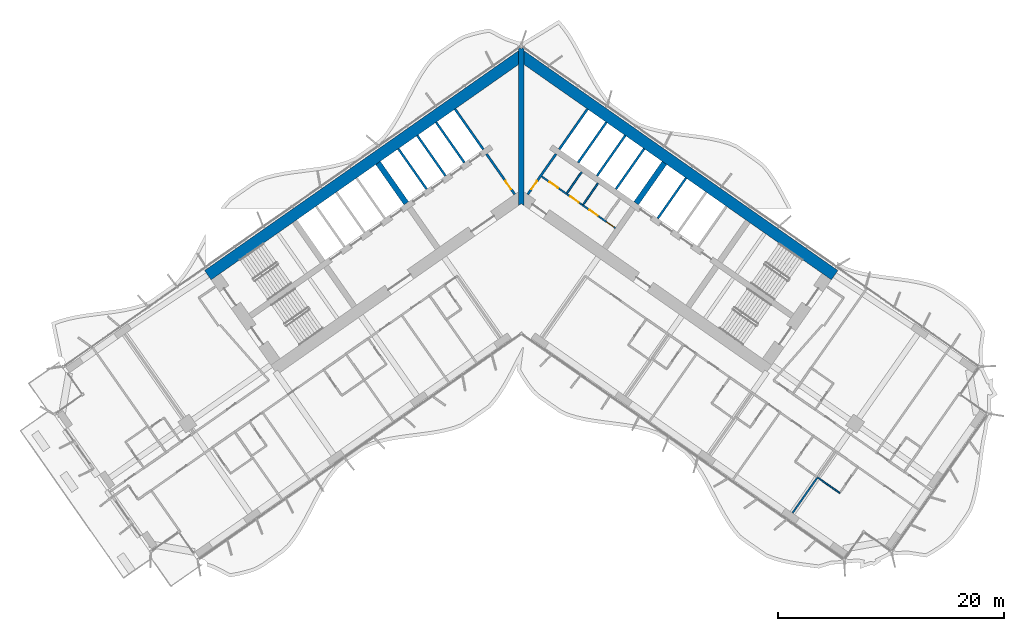
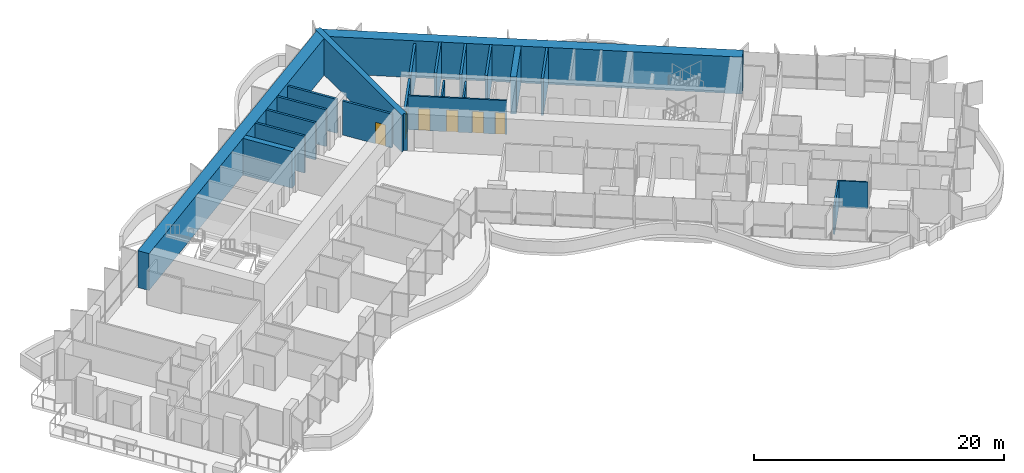
# One storey, part 16 of 25: 21 walls, 6 doors, 6 openings.
"""IFC4 building model written with IfcOpenShell, lengths in metres."""

from ifc_helpers import new_model, si_unit, direction, frame, frame_2d, origin, place, context, subcontext, project, spatial, polyline, rectangle, outline, extrude, material, layer, layer_set, type_object, element, fill, save


model = new_model("IFC4")

# Units and contexts
model_context = context("Model", 3, precision=1e-05, world=origin(), true_north=direction((0.0, 1.0)))
body_context = subcontext(model_context, "Body", "Model", "MODEL_VIEW")
ifc_project = project(units=[si_unit("LENGTHUNIT", "METRE"), si_unit("AREAUNIT", "SQUARE_METRE"), si_unit("VOLUMEUNIT", "CUBIC_METRE"), si_unit("PLANEANGLEUNIT", "RADIAN"), si_unit("MASSUNIT", "GRAM", prefix="KILO")], contexts=[model_context])

# Site, building, storey
site_placement = place(None, origin())
site = spatial("IfcSite", under=ifc_project, at=site_placement, CompositionType="ELEMENT")
building_placement = place(site_placement, origin())
building = spatial("IfcBuilding", under=site, at=building_placement, Name="Tel Ilan Convention Tower", CompositionType="ELEMENT")
storey_placement = place(building_placement, frame((0.0, 0.0, 97.699951171875)))
storey = spatial("IfcBuildingStorey", under=building, at=storey_placement, Name="L20", CompositionType="ELEMENT", Elevation=97.699951171875)

# Wall, openings, doors
ifc_material_1 = material(Name="Gypsum Plasterboard on Steel Stud", Category="steel")
ifc_layer_1 = layer(ifc_material_1, 0.14990234375)
ifc_layer_set_1 = layer_set([ifc_layer_1], Name="Core Room Partition Wall 150 mm EI 60")
wall_type_1 = type_object("IfcWallType", Name="Core Room Partition Wall 150 mm EI 60", PredefinedType="PARTITIONING", material=ifc_layer_set_1)
wall_1_placement = place(storey_placement, frame((1.802490234375, 1.179443359375, 0.0), z_axis=(0.0, 0.0, 1.0), x_axis=(0.819142461705, -0.573590121456, 0.0)))
wall_1 = element("IfcWall", 1, at=wall_1_placement, inside=storey, type_object=wall_type_1, Name="L20 core wall wc-h1", PredefinedType="PARTITIONING", context=body_context, shape_type="SweptSolid", body=[
    extrude(rectangle(XDim=7.949951171875, YDim=0.14990234375, at=frame_2d((3.97509765625, 0.0))), origin(), (0.0, 0.0, 1.0), 3.320068359375),
])
opening_1_placement = place(wall_1_placement, frame((0.85009765625, 0.0, 0.0)))
opening_1 = element("IfcOpeningElement", 2, at=opening_1_placement, cuts=wall_1, Name="Opening CD1811", PredefinedType="OPENING", context=body_context, shape_type="SweptSolid", body=[
    extrude(rectangle(XDim=0.89990234375, YDim=2.10009765625, at=frame_2d((0.449951171875, 1.050048828125))), frame((0.0, 0.0849609375, 0.0), z_axis=(0.0, -1.0, 0.0), x_axis=(1.0, 0.0, 0.0)), (0.0, 0.0, 1.0), 0.169921875),
])
opening_2_placement = place(wall_1_placement, frame((3.10009765625, 0.0, 0.0)))
opening_2 = element("IfcOpeningElement", 3, at=opening_2_placement, cuts=wall_1, Name="Opening CD1808", PredefinedType="OPENING", context=body_context, shape_type="SweptSolid", body=[
    extrude(rectangle(XDim=0.89990234375, YDim=2.10009765625, at=frame_2d((0.449951171875, 1.050048828125))), frame((0.0, 0.0849609375, 0.0), z_axis=(0.0, -1.0, 0.0), x_axis=(1.0, 0.0, 0.0)), (0.0, 0.0, 1.0), 0.169921875),
])
opening_3_placement = place(wall_1_placement, frame((5.14990234375, 0.0, 0.0)))
opening_3 = element("IfcOpeningElement", 4, at=opening_3_placement, cuts=wall_1, Name="Opening CD1810", PredefinedType="OPENING", context=body_context, shape_type="SweptSolid", body=[
    extrude(rectangle(XDim=0.89990234375, YDim=2.10009765625, at=frame_2d((0.449951171875, 1.050048828125))), frame((0.0, 0.0849609375, 0.0), z_axis=(0.0, -1.0, 0.0), x_axis=(1.0, 0.0, 0.0)), (0.0, 0.0, 1.0), 0.169921875),
])
opening_4_placement = place(wall_1_placement, frame((7.0, 0.0, 0.0)))
opening_4 = element("IfcOpeningElement", 5, at=opening_4_placement, cuts=wall_1, Name="Opening CD1809", PredefinedType="OPENING", context=body_context, shape_type="SweptSolid", body=[
    extrude(rectangle(XDim=0.800048828125, YDim=2.10009765625, at=frame_2d((0.39990234375, 1.050048828125))), frame((0.0, 0.0849609375, 0.0), z_axis=(0.0, -1.0, 0.0), x_axis=(1.0, 0.0, 0.0)), (0.0, 0.0, 1.0), 0.169921875),
])
ifc_material_2 = material(Name="Galvanised Steel Door Leaf", Category="steel")
door_type_1 = type_object("IfcDoorType", Name="Store Door 800 x 2100 FD60", OperationType="NOTDEFINED", PredefinedType="DOOR", material=ifc_material_2)
door_1_placement = place(opening_4_placement, origin())
door_1 = element("IfcDoor", 6, at=door_1_placement, inside=storey, type_object=door_type_1, Name="Cleaner's store door", OperationType="SINGLE_SWING_RIGHT", OverallHeight=2.10009765625, OverallWidth=0.800048828125, PredefinedType="DOOR", context=body_context, shape_type="SweptSolid", body=[
    extrude(rectangle(XDim=0.800048828125, YDim=2.10009765625, at=frame_2d((0.39990234375, 1.050048828125))), frame((0.0, 0.02490234375, 0.0), z_axis=(0.0, -1.0, 0.0), x_axis=(1.0, 0.0, 0.0)), (0.0, 0.0, 1.0), 0.050048828125),
])
fill(opening_4, door_1)
ifc_material_3 = material(Name="Laminated Timber Door Leaf", Category="wood")
door_type_2 = type_object("IfcDoorType", Name="Toilet Door 900 x 2100 FD30S", OperationType="NOTDEFINED", PredefinedType="DOOR", material=ifc_material_3)
door_2_placement = place(opening_1_placement, origin())
door_2 = element("IfcDoor", 7, at=door_2_placement, inside=storey, type_object=door_type_2, Name="Women's WC door", OperationType="SINGLE_SWING_RIGHT", OverallHeight=2.10009765625, OverallWidth=0.89990234375, PredefinedType="DOOR", context=body_context, shape_type="SweptSolid", body=[
    extrude(rectangle(XDim=0.89990234375, YDim=2.10009765625, at=frame_2d((0.449951171875, 1.050048828125))), frame((0.0, 0.02490234375, 0.0), z_axis=(0.0, -1.0, 0.0), x_axis=(1.0, 0.0, 0.0)), (0.0, 0.0, 1.0), 0.050048828125),
])
fill(opening_1, door_2)
door_3_placement = place(opening_2_placement, origin())
door_3 = element("IfcDoor", 8, at=door_3_placement, inside=storey, type_object=door_type_2, Name="Accessible WC door", OperationType="SINGLE_SWING_RIGHT", OverallHeight=2.10009765625, OverallWidth=0.89990234375, PredefinedType="DOOR", context=body_context, shape_type="SweptSolid", body=[
    extrude(rectangle(XDim=0.89990234375, YDim=2.10009765625, at=frame_2d((0.449951171875, 1.050048828125))), frame((0.0, 0.02490234375, 0.0), z_axis=(0.0, -1.0, 0.0), x_axis=(1.0, 0.0, 0.0)), (0.0, 0.0, 1.0), 0.050048828125),
])
fill(opening_2, door_3)
door_4_placement = place(opening_3_placement, origin())
door_4 = element("IfcDoor", 9, at=door_4_placement, inside=storey, type_object=door_type_2, Name="Men's WC door", OperationType="SINGLE_SWING_RIGHT", OverallHeight=2.10009765625, OverallWidth=0.89990234375, PredefinedType="DOOR", context=body_context, shape_type="SweptSolid", body=[
    extrude(rectangle(XDim=0.89990234375, YDim=2.10009765625, at=frame_2d((0.449951171875, 1.050048828125))), frame((0.0, 0.02490234375, 0.0), z_axis=(0.0, -1.0, 0.0), x_axis=(1.0, 0.0, 0.0)), (0.0, 0.0, 1.0), 0.050048828125),
])
fill(opening_3, door_4)

# Walls
for number, where, z_axis, x_axis, name in (
    (10, (4.03662109375, -0.29345703125, 0.0), (0.0, 0.0, 1.0), (0.573599181114, 0.819136117764, 0.0), "L20 core wall wc-v0"),
    (11, (5.47021484375, -1.297119140625, 0.0), (0.0, 0.0, 1.0), (0.573599181114, 0.819136117764, 0.0), "L20 core wall wc-v1"),
):
    element("IfcWall", number, at=place(storey_placement, frame(where, z_axis=z_axis, x_axis=x_axis)), inside=storey, type_object=wall_type_1, Name=name, PredefinedType="PARTITIONING", context=body_context, shape_type="SweptSolid", body=[
        extrude(rectangle(XDim=2.27490234375, YDim=0.14990234375, at=frame_2d((1.137451171875, 0.0))), origin(), (0.0, 0.0, 1.0), 3.320068359375),
    ])

# Wall, opening, door
ifc_material_4 = material(Name="Concrete C30/37", Category="concrete")
ifc_layer_2 = layer(ifc_material_4, 0.199951171875)
ifc_layer_set_2 = layer_set([ifc_layer_2], Name="Core Service Room Wall 200 mm C30/37")
wall_type_2 = type_object("IfcWallType", Name="Core Service Room Wall 200 mm C30/37", PredefinedType="SOLIDWALL", material=ifc_layer_set_2)
wall_2_placement = place(storey_placement, frame((-0.573486328125, -0.401611328125, 0.0), z_axis=(0.0, 0.0, 1.0), x_axis=(-0.57356780395, 0.819158088694, 0.0)))
wall_2 = element("IfcWall", 12, at=wall_2_placement, inside=storey, type_object=wall_type_2, Name="L20 core wall apex-W", PredefinedType="SOLIDWALL", context=body_context, shape_type="SweptSolid", body=[
    extrude(rectangle(XDim=4.35009765625, YDim=0.199951171875, at=frame_2d((2.175048828125, 0.0))), origin(), (0.0, 0.0, 1.0), 3.320068359375),
])
opening_5_placement = place(wall_2_placement, frame((0.550048828125, 0.0, 0.0)))
opening_5 = element("IfcOpeningElement", 13, at=opening_5_placement, cuts=wall_2, Name="Opening CD1802", PredefinedType="OPENING", context=body_context, shape_type="SweptSolid", body=[
    extrude(rectangle(XDim=0.89990234375, YDim=2.10009765625, at=frame_2d((0.449951171875, 1.050048828125))), frame((0.0, 0.10986328125, 0.0), z_axis=(0.0, -1.0, 0.0), x_axis=(1.0, 0.0, 0.0)), (0.0, 0.0, 1.0), 0.219970703125),
])
ifc_material_5 = material(Name="Galvanised Steel Door Leaf", Category="steel")
door_type_3 = type_object("IfcDoorType", Name="Service Room Door 900 x 2100 FD60", OperationType="NOTDEFINED", PredefinedType="DOOR", material=ifc_material_5)
door_5_placement = place(opening_5_placement, origin())
door_5 = element("IfcDoor", 14, at=door_5_placement, inside=storey, type_object=door_type_3, Name="Telecom Room door", OperationType="SINGLE_SWING_RIGHT", OverallHeight=2.10009765625, OverallWidth=0.89990234375, PredefinedType="DOOR", context=body_context, shape_type="SweptSolid", body=[
    extrude(rectangle(XDim=0.89990234375, YDim=2.10009765625, at=frame_2d((0.449951171875, 1.050048828125))), frame((0.0, 0.02490234375, 0.0), z_axis=(0.0, -1.0, 0.0), x_axis=(1.0, 0.0, 0.0)), (0.0, 0.0, 1.0), 0.050048828125),
])
fill(opening_5, door_5)

# Wall
wall_3_placement = place(storey_placement, frame((-3.355224609375, 3.5712890625, 0.0), z_axis=(0.0, 0.0, 1.0), x_axis=(-0.57356780395, 0.819158088694, 0.0)))
element("IfcWall", 15, at=wall_3_placement, inside=storey, type_object=wall_type_2, Name="L20 core wall apex-W-b", PredefinedType="SOLIDWALL", context=body_context, shape_type="SweptSolid", body=[
    extrude(rectangle(XDim=4.35009765625, YDim=0.199951171875, at=frame_2d((2.175048828125, 0.0))), origin(), (0.0, 0.0, 1.0), 3.320068359375),
])

# Wall, opening, door
wall_4_placement = place(storey_placement, frame((0.573486328125, -0.401611328125, 0.0), z_axis=(0.0, 0.0, 1.0), x_axis=(0.57356780395, 0.819158088694, 0.0)))
wall_4 = element("IfcWall", 16, at=wall_4_placement, inside=storey, type_object=wall_type_2, Name="L20 core wall apex-E", PredefinedType="SOLIDWALL", context=body_context, shape_type="SweptSolid", body=[
    extrude(rectangle(XDim=4.35009765625, YDim=0.199951171875, at=frame_2d((2.175048828125, 0.0))), origin(), (0.0, 0.0, 1.0), 3.320068359375),
])
opening_6_placement = place(wall_4_placement, frame((0.550048828125, 0.0, 0.0)))
opening_6 = element("IfcOpeningElement", 17, at=opening_6_placement, cuts=wall_4, Name="Opening CD1801", PredefinedType="OPENING", context=body_context, shape_type="SweptSolid", body=[
    extrude(rectangle(XDim=0.89990234375, YDim=2.10009765625, at=frame_2d((0.449951171875, 1.050048828125))), frame((0.0, 0.10986328125, 0.0), z_axis=(0.0, -1.0, 0.0), x_axis=(1.0, 0.0, 0.0)), (0.0, 0.0, 1.0), 0.219970703125),
])
door_6_placement = place(opening_6_placement, origin())
door_6 = element("IfcDoor", 18, at=door_6_placement, inside=storey, type_object=door_type_3, Name="Data Room door", OperationType="SINGLE_SWING_RIGHT", OverallHeight=2.10009765625, OverallWidth=0.89990234375, PredefinedType="DOOR", context=body_context, shape_type="SweptSolid", body=[
    extrude(rectangle(XDim=0.89990234375, YDim=2.10009765625, at=frame_2d((0.449951171875, 1.050048828125))), frame((0.0, 0.02490234375, 0.0), z_axis=(0.0, -1.0, 0.0), x_axis=(1.0, 0.0, 0.0)), (0.0, 0.0, 1.0), 0.050048828125),
])
fill(opening_6, door_6)

# Walls
wall_5_placement = place(storey_placement, frame((3.355224609375, 3.5712890625, 0.0), z_axis=(0.0, 0.0, 1.0), x_axis=(0.57356780395, 0.819158088694, 0.0)))
element("IfcWall", 19, at=wall_5_placement, inside=storey, type_object=wall_type_2, Name="L20 core wall apex-E-b", PredefinedType="SOLIDWALL", context=body_context, shape_type="SweptSolid", body=[
    extrude(rectangle(XDim=4.35009765625, YDim=0.199951171875, at=frame_2d((2.175048828125, 0.0))), origin(), (0.0, 0.0, 1.0), 3.320068359375),
])
ifc_material_6 = material(Name="Concrete C60/75", Category="concrete")
ifc_layer_3 = layer(ifc_material_6, 1.0)
ifc_layer_set_3 = layer_set([ifc_layer_3], Name="Core Shear Wall 1000 mm C60/75")
wall_type_3 = type_object("IfcWallType", Name="Core Shear Wall 1000 mm C60/75", PredefinedType="SHEAR", material=ifc_layer_set_3)
wall_6_placement = place(storey_placement, frame((0.036865234375, 11.8671875, 0.0), z_axis=(0.0, 0.0, 1.0), x_axis=(-0.819155306259, -0.573571777746, 0.0)))
element("IfcWall", 20, at=wall_6_placement, inside=storey, type_object=wall_type_3, Name="L20 core wall W-back", PredefinedType="SHEAR", context=body_context, shape_type="SweptSolid", body=[
    extrude(outline(polyline([(33.8369140625, 0.5), (0.7001953125, 0.499755859375), (0.0, -0.5), (33.8369140625, -0.5), (33.8369140625, 0.5)])), origin(), (0.0, 0.0, 1.0), 3.60009765625),
])
wall_7_placement = place(storey_placement, frame((-0.036865234375, 11.8671875, 0.0), z_axis=(0.0, 0.0, 1.0), x_axis=(0.819155306259, -0.573571777746, 0.0)))
element("IfcWall", 21, at=wall_7_placement, inside=storey, type_object=wall_type_3, Name="L20 core wall E-back", PredefinedType="SHEAR", context=body_context, shape_type="SweptSolid", body=[
    extrude(outline(polyline([(33.8369140625, 0.5), (0.0, 0.5), (0.7001953125, -0.499755859375), (33.8369140625, -0.5), (33.8369140625, 0.5)])), origin(), (0.0, 0.0, 1.0), 3.60009765625),
])
ifc_material_7 = material(Name="Concrete C60/75", Category="concrete")
ifc_layer_4 = layer(ifc_material_7, 0.5)
ifc_layer_set_4 = layer_set([ifc_layer_4], Name="Core Shear Wall 500 mm C60/75")
wall_type_4 = type_object("IfcWallType", Name="Core Shear Wall 500 mm C60/75", PredefinedType="SHEAR", material=ifc_layer_set_4)
for number, where, z_axis, x_axis, name in (
    (22, (-10.154296875, -1.189208984375, 0.0), (0.0, 0.0, 1.0), (-0.573594173421, 0.819139624372, 0.0), "L20 core wall W-cross1-2"),
    (23, (10.154296875, -1.189208984375, 0.0), (0.0, 0.0, 1.0), (0.573594173421, 0.819139624372, 0.0), "L20 core wall E-cross1-2"),
):
    element("IfcWall", number, at=place(storey_placement, frame(where, z_axis=z_axis, x_axis=x_axis)), inside=storey, type_object=wall_type_4, Name=name, PredefinedType="SHEAR", context=body_context, shape_type="SweptSolid", body=[
        extrude(outline(polyline([(4.349853515625, -0.25), (4.349853515625, 0.25), (-0.000244140625, 0.25), (-0.000244140625, -0.25), (4.349853515625, -0.25)])), origin(), (0.0, 0.0, 1.0), 3.60009765625),
    ])
wall_8_placement = place(storey_placement, frame((0.0, -1.395751953125, 0.0), z_axis=(0.0, 0.0, 1.0), x_axis=(0.0, 1.0, 0.0)))
element("IfcWall", 24, at=wall_8_placement, inside=storey, type_object=wall_type_4, Name="L20 core wall K-central", PredefinedType="SHEAR", context=body_context, shape_type="SweptSolid", body=[
    extrude(outline(polyline([(0.0, -0.25), (0.175048828125, -0.25), (1.220703125, -0.25), (12.451904296875, -0.25), (13.84765625, -0.25), (13.85693359375, -0.25), (13.96826171875, -0.172119140625), (13.84765625, 0.0), (13.96826171875, 0.172119140625), (13.85693359375, 0.25), (13.84765625, 0.25), (12.451904296875, 0.25), (1.220703125, 0.25), (0.175048828125, 0.25), (0.0, 0.25), (0.175048828125, 0.0), (0.0, -0.25)])), origin(), (0.0, 0.0, 1.0), 3.60009765625),
])
ifc_material_8 = material(Name="Plasterboard on Steel Studs", Category="steel")
ifc_layer_5 = layer(ifc_material_8, 0.14990234375)
ifc_layer_set_5 = layer_set([ifc_layer_5], Name="Fire-rated Partition 150 EI 60")
wall_type_5 = type_object("IfcWallType", Name="Fire-rated Partition 150 EI 60", PredefinedType="PARTITIONING", material=ifc_layer_set_5)
wall_9_placement = place(storey_placement, frame((26.162109375, -25.400634765625, 0.0), z_axis=(0.0, 0.0, 1.0), x_axis=(-0.573594994199, -0.819139049631, 0.0)))
element("IfcWall", 25, at=wall_9_placement, inside=storey, type_object=wall_type_5, Name="Partition 067", PredefinedType="PARTITIONING", context=body_context, shape_type="SweptSolid", body=[
    extrude(rectangle(XDim=3.8291015625, YDim=0.14990234375, at=frame_2d((1.91455078125, 0.0))), origin(), (0.0, 0.0, 1.0), 2.60009765625),
])
ifc_material_9 = material(Name="Concrete C30/37", Category="concrete")
ifc_layer_6 = layer(ifc_material_9, 0.199951171875)
ifc_layer_set_6 = layer_set([ifc_layer_6], Name="Lift Shaft Wall 200 mm C30/37")
wall_type_6 = type_object("IfcWallType", Name="Lift Shaft Wall 200 mm C30/37", PredefinedType="SOLIDWALL", material=ifc_layer_set_6)
wall_10_placement = place(storey_placement, frame((-5.0244140625, 2.402587890625, 0.0), z_axis=(0.0, 0.0, 1.0), x_axis=(-0.573530143085, 0.819184457233, 0.0)))
element("IfcWall", 26, at=wall_10_placement, inside=storey, type_object=wall_type_6, Name="L20 core wall bank-W1-p0", PredefinedType="SOLIDWALL", context=body_context, shape_type="SweptSolid", body=[
    extrude(rectangle(XDim=4.35009765625, YDim=0.199951171875, at=frame_2d((2.175048828125, 0.0))), origin(), (0.0, 0.0, 1.0), 3.60009765625),
])
for number, where, z_axis, x_axis, name in (
    (27, (-6.693359375, 1.234130859375, 0.0), (0.0, 0.0, 1.0), (-0.573594173421, 0.819139624372, 0.0), "L20 core wall bank-W1-p1"),
    (28, (-8.3623046875, 0.0654296875, 0.0), (0.0, 0.0, 1.0), (-0.573594173421, 0.819139624372, 0.0), "L20 core wall bank-W1-p2"),
):
    element("IfcWall", number, at=place(storey_placement, frame(where, z_axis=z_axis, x_axis=x_axis)), inside=storey, type_object=wall_type_6, Name=name, PredefinedType="SOLIDWALL", context=body_context, shape_type="SweptSolid", body=[
        extrude(rectangle(XDim=4.349853515625, YDim=0.199951171875, at=frame_2d((2.1748046875, 0.0))), origin(), (0.0, 0.0, 1.0), 3.60009765625),
    ])
wall_11_placement = place(storey_placement, frame((5.0244140625, 2.402587890625, 0.0), z_axis=(0.0, 0.0, 1.0), x_axis=(0.573530143085, 0.819184457233, 0.0)))
element("IfcWall", 29, at=wall_11_placement, inside=storey, type_object=wall_type_6, Name="L20 core wall bank-E1-p0", PredefinedType="SOLIDWALL", context=body_context, shape_type="SweptSolid", body=[
    extrude(rectangle(XDim=4.35009765625, YDim=0.199951171875, at=frame_2d((2.175048828125, 0.0))), origin(), (0.0, 0.0, 1.0), 3.60009765625),
])
for number, where, z_axis, x_axis, name in (
    (30, (6.693359375, 1.234130859375, 0.0), (0.0, 0.0, 1.0), (0.573594173421, 0.819139624372, 0.0), "L20 core wall bank-E1-p1"),
    (31, (8.3623046875, 0.0654296875, 0.0), (0.0, 0.0, 1.0), (0.573594173421, 0.819139624372, 0.0), "L20 core wall bank-E1-p2"),
    (32, (12.05859375, -2.52294921875, 0.0), (0.0, 0.0, 1.0), (0.573594173421, 0.819139624372, 0.0), "L20 core wall bank-E2-p0"),
):
    element("IfcWall", number, at=place(storey_placement, frame(where, z_axis=z_axis, x_axis=x_axis)), inside=storey, type_object=wall_type_6, Name=name, PredefinedType="SOLIDWALL", context=body_context, shape_type="SweptSolid", body=[
        extrude(rectangle(XDim=4.349853515625, YDim=0.199951171875, at=frame_2d((2.1748046875, 0.0))), origin(), (0.0, 0.0, 1.0), 3.60009765625),
    ])
ifc_material_10 = material(Name="Plasterboard on Steel Studs", Category="steel")
ifc_layer_7 = layer(ifc_material_10, 0.1201171875)
ifc_layer_set_7 = layer_set([ifc_layer_7], Name="Moisture-resistant Partition 120")
wall_type_7 = type_object("IfcWallType", Name="Moisture-resistant Partition 120", PredefinedType="PARTITIONING", material=ifc_layer_set_7)
wall_12_placement = place(storey_placement, frame((26.162109375, -25.400634765625, 0.0), z_axis=(0.0, 0.0, 1.0), x_axis=(0.819188907105, -0.573523787192, 0.0)))
element("IfcWall", 33, at=wall_12_placement, inside=storey, type_object=wall_type_7, Name="Partition 069", PredefinedType="PARTITIONING", context=body_context, shape_type="SweptSolid", body=[
    extrude(rectangle(XDim=2.39990234375, YDim=0.1201171875, at=frame_2d((1.199951171875, 0.0))), origin(), (0.0, 0.0, 1.0), 2.60009765625),
])

save(model, "model.ifc")
